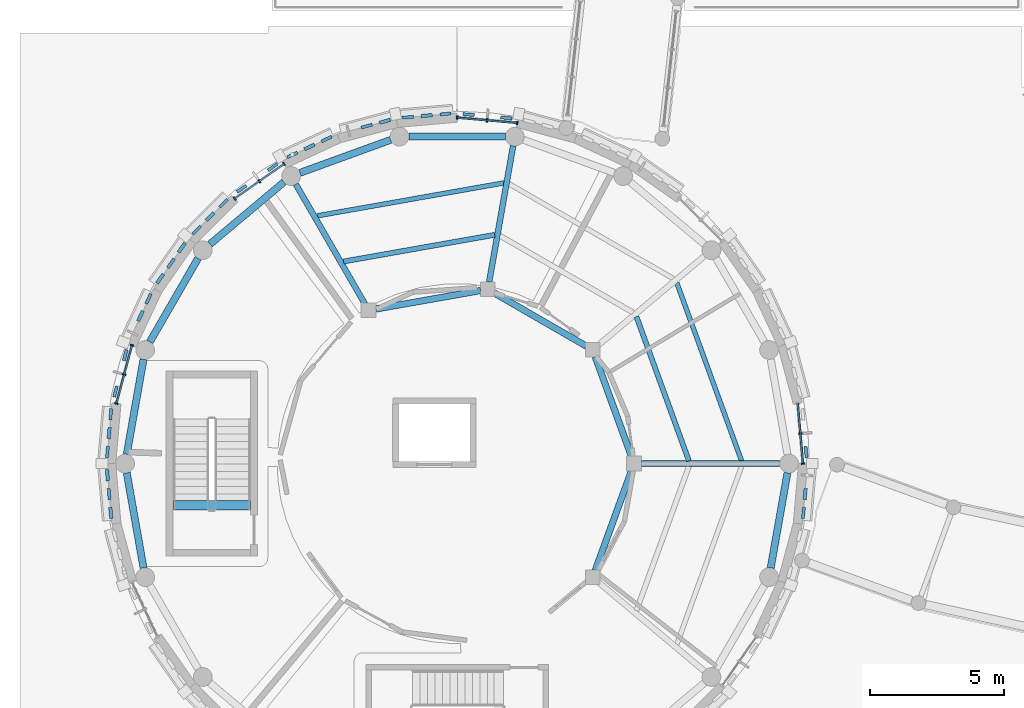
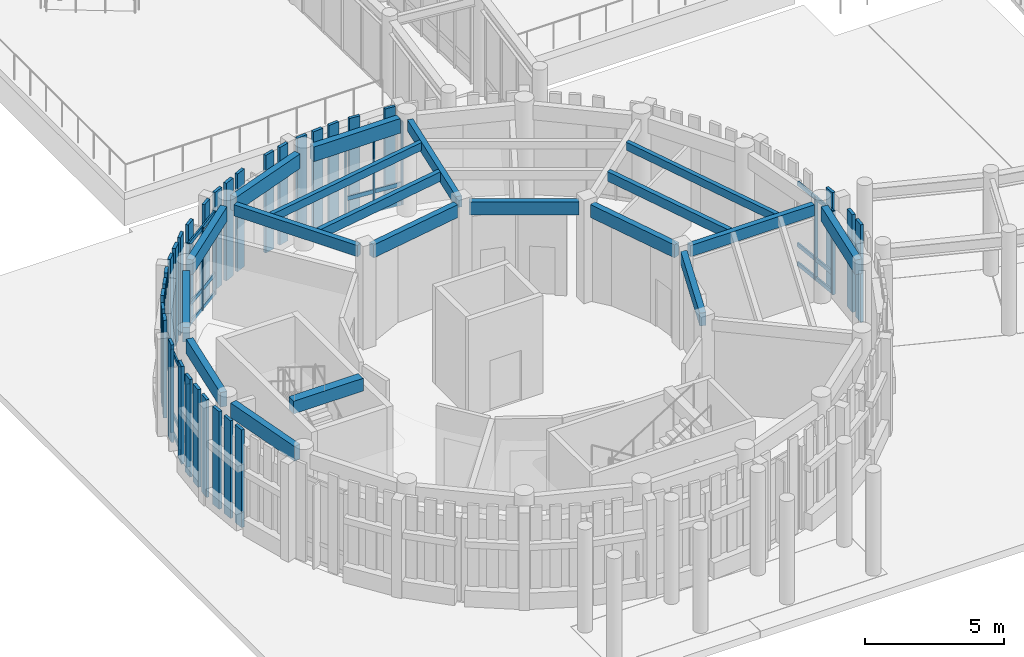
# One storey, part 7 of 94: 54 members, 19 beams, 4 elements without a shape of their own.
"""IFC4 building model written with IfcOpenShell, lengths in metres."""

from ifc_helpers import new_model, si_unit, direction, frame, origin, origin_2d, place, context, subcontext, project, spatial, rectangle, extrude, material, layer, layer_set, material_profile, profile_set, type_object, element, aggregate, save


model = new_model("IFC4")

# Units and contexts
model_context = context("Model", 3, precision=1e-05, world=origin(), true_north=direction((0.0, 1.0)))
body_context = subcontext(model_context, "Body", "Model", "MODEL_VIEW")
ifc_project = project(units=[si_unit("LENGTHUNIT", "METRE"), si_unit("AREAUNIT", "SQUARE_METRE"), si_unit("VOLUMEUNIT", "CUBIC_METRE"), si_unit("PLANEANGLEUNIT", "RADIAN"), si_unit("MASSUNIT", "GRAM", prefix="KILO")], contexts=[model_context])

# Site, building, storey
site_placement = place(None, origin())
site = spatial("IfcSite", under=ifc_project, at=site_placement, CompositionType="ELEMENT")
building_placement = place(site_placement, origin())
building = spatial("IfcBuilding", under=site, at=building_placement, Name="Aldenvaro Health Centre", CompositionType="ELEMENT")
storey_placement = place(building_placement, origin())
storey = spatial("IfcBuildingStorey", under=building, at=storey_placement, Name="L00", CompositionType="ELEMENT", Elevation=0.0)

# Beams
ifc_material_1 = material(Name="Glulam GL28h", Category="wood")
ifc_material_profile_1 = material_profile(ifc_material_1, rectangle(XDim=0.175048828125, YDim=0.35009765625, at=origin_2d()), Name="GL 175x350", Category="wood")
ifc_profile_set_1 = profile_set([ifc_material_profile_1], Name="Glulam GL28h")
beam_type_1 = type_object("IfcBeamType", Name="BM-GL-350", PredefinedType="JOIST", material=ifc_profile_set_1)
beam_1_placement = place(storey_placement, frame((29.10888671875, 18.60107421875, 4.1298828125), z_axis=(-0.342009334008, 0.939696554985, 0.0), x_axis=(-0.939696554985, -0.342009334008, 0.0)))
element("IfcBeam", 1, at=beam_1_placement, inside=storey, type_object=beam_type_1, Name="D5 L00 secondary joist 01.2", PredefinedType="JOIST", context=body_context, shape_type="SweptSolid", body=[
    extrude(rectangle(XDim=0.175048828125, YDim=0.35009765625, at=origin_2d()), origin(), (0.0, 0.0, 1.0), 7.067138671875),
])
beam_2_placement = place(storey_placement, frame((20.242919921875, 28.966064453125, 4.1298828125), z_axis=(-0.984788427089, -0.173757744782, 0.0), x_axis=(0.173757744782, -0.984788427089, 0.0)))
element("IfcBeam", 2, at=beam_2_placement, inside=storey, type_object=beam_type_1, Name="D5 L00 secondary joist 03.2", PredefinedType="JOIST", context=body_context, shape_type="SweptSolid", body=[
    extrude(rectangle(XDim=0.175048828125, YDim=0.35009765625, at=origin_2d()), origin(), (0.0, 0.0, 1.0), 7.0673828125),
])
ifc_material_profile_2 = material_profile(ifc_material_1, rectangle(XDim=0.18994140625, YDim=0.41796875, at=origin_2d()), Name="GL 190x418", Category="wood")
ifc_profile_set_2 = profile_set([ifc_material_profile_2], Name="Glulam GL28h")
beam_type_2 = type_object("IfcBeamType", Name="BM-GL-418", PredefinedType="JOIST", material=ifc_profile_set_2)
beam_3_placement = place(storey_placement, frame((27.14404296875, 18.60107421875, 4.095947265625), z_axis=(-0.341962269954, 0.939713682952, 0.0), x_axis=(-0.939713682952, -0.341962269954, 0.0)))
element("IfcBeam", 3, at=beam_3_placement, inside=storey, type_object=beam_type_2, Name="D5 L00 secondary joist 01.1", PredefinedType="JOIST", context=body_context, shape_type="SweptSolid", body=[
    extrude(rectangle(XDim=0.18994140625, YDim=0.41796875, at=origin_2d()), origin(), (0.0, 0.0, 1.0), 5.722900390625),
])
beam_4_placement = place(storey_placement, frame((19.902099609375, 27.030029296875, 4.095947265625), z_axis=(-0.984803303426, -0.173673410634, 0.0), x_axis=(0.173673410634, -0.984803303426, 0.0)))
element("IfcBeam", 4, at=beam_4_placement, inside=storey, type_object=beam_type_2, Name="D5 L00 secondary joist 03.1", PredefinedType="JOIST", context=body_context, shape_type="SweptSolid", body=[
    extrude(rectangle(XDim=0.18994140625, YDim=0.41796875, at=origin_2d()), origin(), (0.0, 0.0, 1.0), 5.72412109375),
])
ifc_material_profile_3 = material_profile(ifc_material_1, rectangle(XDim=0.215087890625, YDim=0.493896484375, at=origin_2d()), Name="GL 215x494", Category="wood")
ifc_profile_set_3 = profile_set([ifc_material_profile_3], Name="Glulam GL28h")
beam_type_3 = type_object("IfcBeamType", Name="BM-GL-494", PredefinedType="BEAM", material=ifc_profile_set_3)
beam_5_placement = place(storey_placement, frame((25.375, 18.5, 4.05810546875), z_axis=(1.0, 0.0, 0.0), x_axis=(0.0, 1.0, 0.0)))
element("IfcBeam", 5, at=beam_5_placement, inside=storey, type_object=beam_type_3, Name="D5 L00 radial beam 01", PredefinedType="BEAM", context=body_context, shape_type="SweptSolid", body=[
    extrude(rectangle(XDim=0.215087890625, YDim=0.493896484375, at=origin_2d()), origin(), (0.0, 0.0, 1.0), 5.155029296875),
])
for number, where, z_axis, x_axis, name in (
    (6, (19.694091796875, 25.27099609375, 4.05810546875), (0.173647522768, 0.984807868488, 0.0), (-0.984807868488, 0.173647522768, 0.0), "D5 L00 radial beam 03"),
    (7, (15.06201171875, 24.4541015625, 4.05810546875), (-0.499954800118, 0.866051498376, 0.0), (-0.866051498376, -0.499954800118, 0.0), "D5 L00 radial beam 04"),
):
    element("IfcBeam", number, at=place(storey_placement, frame(where, z_axis=z_axis, x_axis=x_axis)), inside=storey, type_object=beam_type_3, Name=name, PredefinedType="BEAM", context=body_context, shape_type="SweptSolid", body=[
        extrude(rectangle(XDim=0.215087890625, YDim=0.493896484375, at=origin_2d()), origin(), (0.0, 0.0, 1.0), 5.154296875),
    ])
ifc_material_profile_4 = material_profile(ifc_material_1, rectangle(XDim=0.239990234375, YDim=0.570068359375, at=origin_2d()), Name="GL 240x570", Category="wood")
ifc_profile_set_4 = profile_set([ifc_material_profile_4], Name="Glulam GL28h")
beam_type_4 = type_object("IfcBeamType", Name="BM-GL-570", PredefinedType="BEAM", material=ifc_profile_set_4)
for number, where, z_axis, x_axis, name in (
    (8, (25.006103515625, 18.758056640625, 4.02001953125), (-0.342044624187, 0.93968371012, 0.0), (-0.93968371012, -0.342044624187, 0.0), "D5 L00 inner ring beam 01"),
    (9, (23.318115234375, 22.8798828125, 4.02001953125), (-0.866078959103, 0.499907227993, 0.0), (-0.499907227993, -0.866078959103, 0.0), "D5 L00 inner ring beam 02"),
):
    element("IfcBeam", number, at=place(storey_placement, frame(where, z_axis=z_axis, x_axis=x_axis)), inside=storey, type_object=beam_type_4, Name=name, PredefinedType="BEAM", context=body_context, shape_type="SweptSolid", body=[
        extrude(rectangle(XDim=0.239990234375, YDim=0.570068359375, at=origin_2d()), origin(), (0.0, 0.0, 1.0), 3.965087890625),
    ])
beam_6_placement = place(storey_placement, frame((19.375, 24.951904296875, 4.02001953125), z_axis=(-0.984825070377, -0.17354993736, 0.0), x_axis=(0.17354993736, -0.984825070377, 0.0)))
element("IfcBeam", 10, at=beam_6_placement, inside=storey, type_object=beam_type_4, Name="D5 L00 inner ring beam 03", PredefinedType="BEAM", context=body_context, shape_type="SweptSolid", body=[
    extrude(rectangle(XDim=0.239990234375, YDim=0.570068359375, at=origin_2d()), origin(), (0.0, 0.0, 1.0), 3.964111328125),
])
beam_7_placement = place(storey_placement, frame((23.64990234375, 14.51611328125, 4.02001953125), z_axis=(0.342044624187, 0.93968371012, 0.0), x_axis=(-0.93968371012, 0.342044624187, 0.0)))
element("IfcBeam", 11, at=beam_7_placement, inside=storey, type_object=beam_type_4, Name="D5 L00 inner ring beam 05", PredefinedType="BEAM", context=body_context, shape_type="SweptSolid", body=[
    extrude(rectangle(XDim=0.239990234375, YDim=0.570068359375, at=origin_2d()), origin(), (0.0, 0.0, 1.0), 3.965087890625),
])
ifc_material_profile_5 = material_profile(ifc_material_1, rectangle(XDim=0.264892578125, YDim=0.64599609375, at=origin_2d()), Name="GL 265x646", Category="wood")
ifc_profile_set_5 = profile_set([ifc_material_profile_5], Name="Glulam GL28h")
beam_type_5 = type_object("IfcBeamType", Name="BM-GL-646", PredefinedType="SPANDREL", material=ifc_profile_set_5)
beam_8_placement = place(storey_placement, frame((20.300048828125, 30.69189453125, 3.98193359375), z_axis=(-1.0, 0.0, 0.0), x_axis=(0.0, -1.0, 0.0)))
element("IfcBeam", 12, at=beam_8_placement, inside=storey, type_object=beam_type_5, Name="D5 L00 perimeter spandrel 05", PredefinedType="SPANDREL", context=body_context, shape_type="SweptSolid", body=[
    extrude(rectangle(XDim=0.264892578125, YDim=0.64599609375, at=origin_2d()), origin(), (0.0, 0.0, 1.0), 3.60009765625),
])
beam_9_placement = place(storey_placement, frame((16.02099609375, 30.572021484375, 3.98193359375), z_axis=(-0.939694357354, -0.342015372106, 0.0), x_axis=(0.342015372106, -0.939694357354, 0.0)))
element("IfcBeam", 13, at=beam_9_placement, inside=storey, type_object=beam_type_5, Name="D5 L00 perimeter spandrel 06", PredefinedType="SPANDREL", context=body_context, shape_type="SweptSolid", body=[
    extrude(rectangle(XDim=0.264892578125, YDim=0.64599609375, at=origin_2d()), origin(), (0.0, 0.0, 1.0), 3.59912109375),
])
beam_10_placement = place(storey_placement, frame((12.0419921875, 28.99609375, 3.98193359375), z_axis=(-0.766221705246, -0.642576297734, 0.0), x_axis=(0.642576297734, -0.766221705246, 0.0)))
element("IfcBeam", 14, at=beam_10_placement, inside=storey, type_object=beam_type_5, Name="D5 L00 perimeter spandrel 07", PredefinedType="SPANDREL", context=body_context, shape_type="SweptSolid", body=[
    extrude(rectangle(XDim=0.264892578125, YDim=0.64599609375, at=origin_2d()), origin(), (0.0, 0.0, 1.0), 3.599609375),
])
beam_11_placement = place(storey_placement, frame((8.841064453125, 26.155029296875, 3.98193359375), z_axis=(-0.499779208992, -0.866152840011, 0.0), x_axis=(0.866152840011, -0.499779208992, 0.0)))
element("IfcBeam", 15, at=beam_11_placement, inside=storey, type_object=beam_type_5, Name="D5 L00 perimeter spandrel 08", PredefinedType="SPANDREL", context=body_context, shape_type="SweptSolid", body=[
    extrude(rectangle(XDim=0.264892578125, YDim=0.64599609375, at=origin_2d()), origin(), (0.0, 0.0, 1.0), 3.599853515625),
])
for number, where, z_axis, x_axis, name in (
    (16, (6.805908203125, 22.388916015625, 3.98193359375), (-0.17367696688, -0.984802676263, 0.0), (0.984802676263, -0.17367696688, 0.0), "D5 L00 perimeter spandrel 09"),
    (17, (6.180908203125, 18.155029296875, 3.98193359375), (0.17367696688, -0.984802676263, 0.0), (0.984802676263, 0.17367696688, 0.0), "D5 L00 perimeter spandrel 10"),
    (18, (30.194091796875, 14.611083984375, 3.98193359375), (0.17367696688, 0.984802676263, 0.0), (-0.984802676263, 0.17367696688, 0.0), "D5 L00 perimeter spandrel 18"),
):
    element("IfcBeam", number, at=place(storey_placement, frame(where, z_axis=z_axis, x_axis=x_axis)), inside=storey, type_object=beam_type_5, Name=name, PredefinedType="SPANDREL", context=body_context, shape_type="SweptSolid", body=[
        extrude(rectangle(XDim=0.264892578125, YDim=0.64599609375, at=origin_2d()), origin(), (0.0, 0.0, 1.0), 3.5986328125),
    ])
ifc_material_2 = material(Name="Concrete f'c 40 MPa", Category="concrete")
ifc_material_profile_6 = material_profile(ifc_material_2, rectangle(XDim=0.35009765625, YDim=0.56005859375, at=origin_2d()), Name="RC 350x560", Category="concrete")
ifc_profile_set_6 = profile_set([ifc_material_profile_6], Name="Concrete f'c 40 MPa")
beam_type_6 = type_object("IfcBeamType", Name="BM-RC-560", PredefinedType="JOIST", material=ifc_profile_set_6)
beam_12_placement = place(storey_placement, frame((10.800048828125, 16.949951171875, 4.27001953125), z_axis=(-1.0, 0.0, 0.0), x_axis=(0.0, -1.0, 0.0)))
element("IfcBeam", 19, at=beam_12_placement, inside=storey, type_object=beam_type_6, Name="ST-09 L01 stair landing trimmer beam", PredefinedType="JOIST", context=body_context, shape_type="SweptSolid", body=[
    extrude(rectangle(XDim=0.35009765625, YDim=0.56005859375, at=origin_2d()), origin(), (0.0, 0.0, 1.0), 2.900146484375),
])

# Curtain wall, members
ifc_material_3 = material(Name="Anodised Aluminium 6063-T6", Category="aluminium")
ifc_layer = layer(ifc_material_3, 0.195068359375, Name="Anodised Aluminium 6063-T6", Category="aluminium")
ifc_layer_set = layer_set([ifc_layer], Name="Anodised Aluminium 6063-T6")
curtain_wall_type = type_object("IfcCurtainWallType", Name="CW-CLN-02", PredefinedType="NOTDEFINED", material=ifc_layer_set)
curtain_wall_1_placement = place(storey_placement, origin())
curtain_wall_1 = element("IfcCurtainWall", 20, at=curtain_wall_1_placement, inside=storey, type_object=curtain_wall_type, Name="D5 L00 curtain wall bay 20", PredefinedType="NOTDEFINED")
ifc_material_profile_7 = material_profile(ifc_material_3, rectangle(XDim=0.06005859375, YDim=0.135009765625, at=origin_2d()), Name="ALU 60x135", Category="aluminium")
ifc_profile_set_7 = profile_set([ifc_material_profile_7], Name="Anodised Aluminium 6063-T6")
member_type_1 = type_object("IfcMemberType", Name="CWM-150", PredefinedType="MULLION", material=ifc_profile_set_7)
member_1_placement = place(storey_placement, frame((5.7958984375, 20.739990234375, 0.0), z_axis=(0.0, 0.0, 1.0), x_axis=(0.258825000966, 0.9659242304, 0.0)))
member_1 = element("IfcMember", 21, at=member_1_placement, type_object=member_type_1, Name="D5 L00 curtain wall bay 20 mullion 1", PredefinedType="MULLION", context=body_context, shape_type="SweptSolid", body=[
    extrude(rectangle(XDim=0.06005859375, YDim=0.135009765625, at=origin_2d()), origin(), (0.0, 0.0, 1.0), 3.658935546875),
])
member_2_placement = place(storey_placement, frame((6.0869140625, 21.825927734375, 0.0), z_axis=(0.0, 0.0, 1.0), x_axis=(0.258825000966, 0.9659242304, 0.0)))
member_2 = element("IfcMember", 22, at=member_2_placement, type_object=member_type_1, Name="D5 L00 curtain wall bay 20 mullion 2", PredefinedType="MULLION", context=body_context, shape_type="SweptSolid", body=[
    extrude(rectangle(XDim=0.06005859375, YDim=0.135009765625, at=origin_2d()), origin(), (0.0, 0.0, 1.0), 3.658935546875),
])
member_3_placement = place(storey_placement, frame((6.3779296875, 22.912109375, 0.0), z_axis=(0.0, 0.0, 1.0), x_axis=(0.258825000966, 0.9659242304, 0.0)))
member_3 = element("IfcMember", 23, at=member_3_placement, type_object=member_type_1, Name="D5 L00 curtain wall bay 20 mullion 3", PredefinedType="MULLION", context=body_context, shape_type="SweptSolid", body=[
    extrude(rectangle(XDim=0.06005859375, YDim=0.135009765625, at=origin_2d()), origin(), (0.0, 0.0, 1.0), 3.658935546875),
])

curtain_wall_2_placement = place(storey_placement, origin())
curtain_wall_2 = element("IfcCurtainWall", 24, at=curtain_wall_2_placement, inside=storey, type_object=curtain_wall_type, Name="D5 L00 curtain wall bay 24", PredefinedType="NOTDEFINED")
member_4_placement = place(storey_placement, frame((10.2080078125, 28.382080078125, 0.0), z_axis=(0.0, 0.0, 1.0), x_axis=(0.819106553991, 0.573641397746, 0.0)))
member_4 = element("IfcMember", 25, at=member_4_placement, type_object=member_type_1, Name="D5 L00 curtain wall bay 24 mullion 1", PredefinedType="MULLION", context=body_context, shape_type="SweptSolid", body=[
    extrude(rectangle(XDim=0.06005859375, YDim=0.135009765625, at=origin_2d()), origin(), (0.0, 0.0, 1.0), 3.658935546875),
])
member_5_placement = place(storey_placement, frame((11.12890625, 29.027099609375, 0.0), z_axis=(0.0, 0.0, 1.0), x_axis=(0.819106553991, 0.573641397746, 0.0)))
member_5 = element("IfcMember", 26, at=member_5_placement, type_object=member_type_1, Name="D5 L00 curtain wall bay 24 mullion 2", PredefinedType="MULLION", context=body_context, shape_type="SweptSolid", body=[
    extrude(rectangle(XDim=0.06005859375, YDim=0.135009765625, at=origin_2d()), origin(), (0.0, 0.0, 1.0), 3.658935546875),
])
member_6_placement = place(storey_placement, frame((12.050048828125, 29.672119140625, 0.0), z_axis=(0.0, 0.0, 1.0), x_axis=(0.819106553991, 0.573641397746, 0.0)))
member_6 = element("IfcMember", 27, at=member_6_placement, type_object=member_type_1, Name="D5 L00 curtain wall bay 24 mullion 3", PredefinedType="MULLION", context=body_context, shape_type="SweptSolid", body=[
    extrude(rectangle(XDim=0.06005859375, YDim=0.135009765625, at=origin_2d()), origin(), (0.0, 0.0, 1.0), 3.658935546875),
])

curtain_wall_3_placement = place(storey_placement, origin())
curtain_wall_3 = element("IfcCurtainWall", 28, at=curtain_wall_3_placement, inside=storey, type_object=curtain_wall_type, Name="D5 L00 curtain wall bay 28", PredefinedType="NOTDEFINED")
member_7_placement = place(storey_placement, frame((18.5, 31.39990234375, 0.0), z_axis=(0.0, 0.0, 1.0), x_axis=(0.996193717495, -0.087166950289, 0.0)))
member_7 = element("IfcMember", 29, at=member_7_placement, type_object=member_type_1, Name="D5 L00 curtain wall bay 28 mullion 1", PredefinedType="MULLION", context=body_context, shape_type="SweptSolid", body=[
    extrude(rectangle(XDim=0.06005859375, YDim=0.135009765625, at=origin_2d()), origin(), (0.0, 0.0, 1.0), 3.658935546875),
])
member_8_placement = place(storey_placement, frame((19.6201171875, 31.302001953125, 0.0), z_axis=(0.0, 0.0, 1.0), x_axis=(0.996193717495, -0.087166950289, 0.0)))
member_8 = element("IfcMember", 30, at=member_8_placement, type_object=member_type_1, Name="D5 L00 curtain wall bay 28 mullion 2", PredefinedType="MULLION", context=body_context, shape_type="SweptSolid", body=[
    extrude(rectangle(XDim=0.06005859375, YDim=0.135009765625, at=origin_2d()), origin(), (0.0, 0.0, 1.0), 3.658935546875),
])
member_9_placement = place(storey_placement, frame((20.739990234375, 31.2041015625, 0.0), z_axis=(0.0, 0.0, 1.0), x_axis=(0.996193717495, -0.087166950289, 0.0)))
member_9 = element("IfcMember", 31, at=member_9_placement, type_object=member_type_1, Name="D5 L00 curtain wall bay 28 mullion 3", PredefinedType="MULLION", context=body_context, shape_type="SweptSolid", body=[
    extrude(rectangle(XDim=0.06005859375, YDim=0.135009765625, at=origin_2d()), origin(), (0.0, 0.0, 1.0), 3.658935546875),
])

curtain_wall_4_placement = place(storey_placement, origin())
curtain_wall_4 = element("IfcCurtainWall", 32, at=curtain_wall_4_placement, inside=storey, type_object=curtain_wall_type, Name="D5 L00 curtain wall bay 36", PredefinedType="NOTDEFINED")
member_10_placement = place(storey_placement, frame((31.302001953125, 19.6201171875, 0.0), z_axis=(0.0, 0.0, 1.0), x_axis=(0.087166950289, -0.996193717495, 0.0)))
member_10 = element("IfcMember", 33, at=member_10_placement, type_object=member_type_1, Name="D5 L00 curtain wall bay 36 mullion 2", PredefinedType="MULLION", context=body_context, shape_type="SweptSolid", body=[
    extrude(rectangle(XDim=0.06005859375, YDim=0.135009765625, at=origin_2d()), origin(), (0.0, 0.0, 1.0), 3.658935546875),
])
member_11_placement = place(storey_placement, frame((31.39990234375, 18.5, 0.0), z_axis=(0.0, 0.0, 1.0), x_axis=(0.087166950289, -0.996193717495, 0.0)))
member_11 = element("IfcMember", 34, at=member_11_placement, type_object=member_type_1, Name="D5 L00 curtain wall bay 36 mullion 3", PredefinedType="MULLION", context=body_context, shape_type="SweptSolid", body=[
    extrude(rectangle(XDim=0.06005859375, YDim=0.135009765625, at=origin_2d()), origin(), (0.0, 0.0, 1.0), 3.658935546875),
])

# Member
ifc_material_profile_8 = material_profile(ifc_material_3, rectangle(XDim=0.06494140625, YDim=0.179931640625, at=origin_2d()), Name="ALU 65x180", Category="aluminium")
ifc_profile_set_8 = profile_set([ifc_material_profile_8], Name="Anodised Aluminium 6063-T6")
member_type_2 = type_object("IfcMemberType", Name="CWT-150", PredefinedType="USERDEFINED", material=ifc_profile_set_8)
member_12_placement = place(storey_placement, frame((5.7958984375, 20.739990234375, 0.06005859375), z_axis=(0.258824721145, 0.96592430538, 0.0), x_axis=(-0.96592430538, 0.258824721145, 0.0)))
member_12 = element("IfcMember", 35, at=member_12_placement, type_object=member_type_2, Name="D5 L00 curtain wall bay 20 transom 1", ObjectType="TRANSOM", PredefinedType="USERDEFINED", context=body_context, shape_type="SweptSolid", body=[
    extrude(rectangle(XDim=0.06494140625, YDim=0.179931640625, at=origin_2d()), origin(), (0.0, 0.0, 1.0), 2.248779296875),
])

member_13_placement = place(storey_placement, frame((5.7958984375, 20.739990234375, 0.89990234375), z_axis=(0.258824721145, 0.96592430538, 0.0), x_axis=(-0.96592430538, 0.258824721145, 0.0)))
member_13 = element("IfcMember", 36, at=member_13_placement, type_object=member_type_2, Name="D5 L00 curtain wall bay 20 transom 2", ObjectType="TRANSOM", PredefinedType="USERDEFINED", context=body_context, shape_type="SweptSolid", body=[
    extrude(rectangle(XDim=0.06494140625, YDim=0.179931640625, at=origin_2d()), origin(), (0.0, 0.0, 1.0), 2.248779296875),
])

member_14_placement = place(storey_placement, frame((5.7958984375, 20.739990234375, 3.59912109375), z_axis=(0.258824721145, 0.96592430538, 0.0), x_axis=(-0.96592430538, 0.258824721145, 0.0)))
member_14 = element("IfcMember", 37, at=member_14_placement, type_object=member_type_2, Name="D5 L00 curtain wall bay 20 transom 3", ObjectType="TRANSOM", PredefinedType="USERDEFINED", context=body_context, shape_type="SweptSolid", body=[
    extrude(rectangle(XDim=0.06494140625, YDim=0.179931640625, at=origin_2d()), origin(), (0.0, 0.0, 1.0), 2.248779296875),
])

aggregate(curtain_wall_1, [member_1, member_2, member_3, member_12, member_13, member_14])

member_15_placement = place(storey_placement, frame((10.2080078125, 28.382080078125, 0.06005859375), z_axis=(0.819104393925, 0.573644482107, 0.0), x_axis=(-0.573644482107, 0.819104393925, 0.0)))
member_15 = element("IfcMember", 38, at=member_15_placement, type_object=member_type_2, Name="D5 L00 curtain wall bay 24 transom 1", ObjectType="TRANSOM", PredefinedType="USERDEFINED", context=body_context, shape_type="SweptSolid", body=[
    extrude(rectangle(XDim=0.06494140625, YDim=0.179931640625, at=origin_2d()), origin(), (0.0, 0.0, 1.0), 2.248779296875),
])

member_16_placement = place(storey_placement, frame((10.2080078125, 28.382080078125, 0.89990234375), z_axis=(0.819104393925, 0.573644482107, 0.0), x_axis=(-0.573644482107, 0.819104393925, 0.0)))
member_16 = element("IfcMember", 39, at=member_16_placement, type_object=member_type_2, Name="D5 L00 curtain wall bay 24 transom 2", ObjectType="TRANSOM", PredefinedType="USERDEFINED", context=body_context, shape_type="SweptSolid", body=[
    extrude(rectangle(XDim=0.06494140625, YDim=0.179931640625, at=origin_2d()), origin(), (0.0, 0.0, 1.0), 2.248779296875),
])

member_17_placement = place(storey_placement, frame((10.2080078125, 28.382080078125, 3.59912109375), z_axis=(0.819104393925, 0.573644482107, 0.0), x_axis=(-0.573644482107, 0.819104393925, 0.0)))
member_17 = element("IfcMember", 40, at=member_17_placement, type_object=member_type_2, Name="D5 L00 curtain wall bay 24 transom 3", ObjectType="TRANSOM", PredefinedType="USERDEFINED", context=body_context, shape_type="SweptSolid", body=[
    extrude(rectangle(XDim=0.06494140625, YDim=0.179931640625, at=origin_2d()), origin(), (0.0, 0.0, 1.0), 2.248779296875),
])

aggregate(curtain_wall_2, [member_4, member_5, member_6, member_15, member_16, member_17])

member_18_placement = place(storey_placement, frame((18.5, 31.39990234375, 0.06005859375), z_axis=(0.996201374201, -0.087079400775, 0.0), x_axis=(0.087079400775, 0.996201374201, 0.0)))
member_18 = element("IfcMember", 41, at=member_18_placement, type_object=member_type_2, Name="D5 L00 curtain wall bay 28 transom 1", ObjectType="TRANSOM", PredefinedType="USERDEFINED", context=body_context, shape_type="SweptSolid", body=[
    extrude(rectangle(XDim=0.06494140625, YDim=0.179931640625, at=origin_2d()), origin(), (0.0, 0.0, 1.0), 2.24853515625),
])

member_19_placement = place(storey_placement, frame((18.5, 31.39990234375, 0.89990234375), z_axis=(0.996201374201, -0.087079400775, 0.0), x_axis=(0.087079400775, 0.996201374201, 0.0)))
member_19 = element("IfcMember", 42, at=member_19_placement, type_object=member_type_2, Name="D5 L00 curtain wall bay 28 transom 2", ObjectType="TRANSOM", PredefinedType="USERDEFINED", context=body_context, shape_type="SweptSolid", body=[
    extrude(rectangle(XDim=0.06494140625, YDim=0.179931640625, at=origin_2d()), origin(), (0.0, 0.0, 1.0), 2.24853515625),
])

member_20_placement = place(storey_placement, frame((18.5, 31.39990234375, 3.59912109375), z_axis=(0.996201374201, -0.087079400775, 0.0), x_axis=(0.087079400775, 0.996201374201, 0.0)))
member_20 = element("IfcMember", 43, at=member_20_placement, type_object=member_type_2, Name="D5 L00 curtain wall bay 28 transom 3", ObjectType="TRANSOM", PredefinedType="USERDEFINED", context=body_context, shape_type="SweptSolid", body=[
    extrude(rectangle(XDim=0.06494140625, YDim=0.179931640625, at=origin_2d()), origin(), (0.0, 0.0, 1.0), 2.24853515625),
])

aggregate(curtain_wall_3, [member_7, member_8, member_9, member_18, member_19, member_20])

member_21_placement = place(storey_placement, frame((31.2041015625, 20.739990234375, 0.06005859375), z_axis=(0.087079400775, -0.996201374201, 0.0), x_axis=(0.996201374201, 0.087079400775, 0.0)))
member_21 = element("IfcMember", 44, at=member_21_placement, type_object=member_type_2, Name="D5 L00 curtain wall bay 36 transom 1", ObjectType="TRANSOM", PredefinedType="USERDEFINED", context=body_context, shape_type="SweptSolid", body=[
    extrude(rectangle(XDim=0.06494140625, YDim=0.179931640625, at=origin_2d()), origin(), (0.0, 0.0, 1.0), 2.24853515625),
])

member_22_placement = place(storey_placement, frame((31.2041015625, 20.739990234375, 0.89990234375), z_axis=(0.087079400775, -0.996201374201, 0.0), x_axis=(0.996201374201, 0.087079400775, 0.0)))
member_22 = element("IfcMember", 45, at=member_22_placement, type_object=member_type_2, Name="D5 L00 curtain wall bay 36 transom 2", ObjectType="TRANSOM", PredefinedType="USERDEFINED", context=body_context, shape_type="SweptSolid", body=[
    extrude(rectangle(XDim=0.06494140625, YDim=0.179931640625, at=origin_2d()), origin(), (0.0, 0.0, 1.0), 2.24853515625),
])

member_23_placement = place(storey_placement, frame((31.2041015625, 20.739990234375, 3.59912109375), z_axis=(0.087079400775, -0.996201374201, 0.0), x_axis=(0.996201374201, 0.087079400775, 0.0)))
member_23 = element("IfcMember", 46, at=member_23_placement, type_object=member_type_2, Name="D5 L00 curtain wall bay 36 transom 3", ObjectType="TRANSOM", PredefinedType="USERDEFINED", context=body_context, shape_type="SweptSolid", body=[
    extrude(rectangle(XDim=0.06494140625, YDim=0.179931640625, at=origin_2d()), origin(), (0.0, 0.0, 1.0), 2.24853515625),
])

aggregate(curtain_wall_4, [member_10, member_11, member_21, member_22, member_23])

# Members
ifc_material_profile_9 = material_profile(ifc_material_1, rectangle(XDim=0.114990234375, YDim=0.419921875, at=origin_2d()), Name="GL 115x420", Category="wood")
ifc_profile_set_9 = profile_set([ifc_material_profile_9], Name="Glulam GL28h")
member_type_3 = type_object("IfcMemberType", Name="MEM-SLT-420A", PredefinedType="POST", material=ifc_profile_set_9)
for number, where, z_axis, x_axis, name in (
    (47, (31.4150390625, 16.6630859375, 0.0), (0.0, 0.0, 1.0), (0.996193717495, -0.087166950289, 0.0), "D5 L00 vertical timber slat 1.3"),
    (48, (5.52392578125, 17.364990234375, 0.0), (0.0, 0.0, 1.0), (-0.996193717495, -0.087166950289, 0.0), "D5 L00 vertical timber slat 18.2"),
    (49, (5.4619140625, 18.93408203125, 0.0), (0.0, 0.0, 1.0), (-0.996193717495, 0.087166950289, 0.0), "D5 L00 vertical timber slat 19.1"),
    (50, (5.5849609375, 20.3369140625, 0.0), (0.0, 0.0, 1.0), (-0.996193717495, 0.087166950289, 0.0), "D5 L00 vertical timber slat 19.3"),
    (51, (5.760009765625, 21.18505859375, 0.0), (0.0, 0.0, 1.0), (-0.9659242304, 0.258825000966, 0.0), "D5 L00 curtain mullion timber slat 20"),
    (52, (6.1240234375, 22.544921875, 0.0), (0.0, 0.0, 1.0), (-0.9659242304, 0.258825000966, 0.0), "D5 L00 curtain mullion timber slat 20"),
    (53, (6.991943359375, 24.64306640625, 0.0), (0.0, 0.0, 1.0), (-0.906364844733, 0.422495879545, 0.0), "D5 L00 vertical timber slat 21.3"),
    (54, (7.830078125, 25.970947265625, 0.0), (0.0, 0.0, 1.0), (-0.819106553991, 0.573641397746, 0.0), "D5 L00 vertical timber slat 22.2"),
    (55, (8.791015625, 27.212890625, 0.0), (0.0, 0.0, 1.0), (-0.707106781187, 0.707106781187, 0.0), "D5 L00 vertical timber slat 23.1"),
    (56, (9.787109375, 28.208984375, 0.0), (0.0, 0.0, 1.0), (-0.707106781187, 0.707106781187, 0.0), "D5 L00 vertical timber slat 23.3"),
    (57, (10.466064453125, 28.74609375, 0.0), (0.0, 0.0, 1.0), (-0.573641397746, 0.819106553991, 0.0), "D5 L00 curtain mullion timber slat 24"),
    (58, (11.6201171875, 29.553955078125, 0.0), (0.0, 0.0, 1.0), (-0.573641397746, 0.819106553991, 0.0), "D5 L00 curtain mullion timber slat 24"),
    (59, (12.35693359375, 30.008056640625, 0.0), (0.0, 0.0, 1.0), (-0.422495879545, 0.906364844733, 0.0), "D5 L00 vertical timber slat 25.1"),
    (60, (13.633056640625, 30.60302734375, 0.0), (0.0, 0.0, 1.0), (-0.422495879545, 0.906364844733, 0.0), "D5 L00 vertical timber slat 25.3"),
    (61, (15.12890625, 31.08203125, 0.0), (0.0, 0.0, 1.0), (-0.258825000966, 0.9659242304, 0.0), "D5 L00 vertical timber slat 26.2"),
    (62, (16.6630859375, 31.4150390625, 0.0), (0.0, 0.0, 1.0), (-0.087166950289, 0.996193717495, 0.0), "D5 L00 vertical timber slat 27.1"),
    (63, (18.06591796875, 31.5380859375, 0.0), (0.0, 0.0, 1.0), (-0.087166950289, 0.996193717495, 0.0), "D5 L00 vertical timber slat 27.3"),
    (64, (18.930908203125, 31.512939453125, 0.0), (0.0, 0.0, 1.0), (0.087166950289, 0.996193717495, 0.0), "D5 L00 curtain mullion timber slat 28"),
    (65, (20.3349609375, 31.389892578125, 0.0), (0.0, 0.0, 1.0), (0.087166950289, 0.996193717495, 0.0), "D5 L00 curtain mullion timber slat 28"),
    (66, (31.512939453125, 18.930908203125, 0.0), (0.0, 0.0, 1.0), (0.996193717495, 0.087166950289, 0.0), "D5 L00 curtain mullion timber slat 36"),
):
    element("IfcMember", number, at=place(storey_placement, frame(where, z_axis=z_axis, x_axis=x_axis)), inside=storey, type_object=member_type_3, Name=name, PredefinedType="POST", context=body_context, shape_type="SweptSolid", body=[
        extrude(rectangle(XDim=0.114990234375, YDim=0.419921875, at=origin_2d()), origin(), (0.0, 0.0, 1.0), 4.304931640625),
    ])
ifc_material_profile_10 = material_profile(ifc_material_1, rectangle(XDim=0.1298828125, YDim=0.419921875, at=origin_2d()), Name="GL 130x420", Category="wood")
ifc_profile_set_10 = profile_set([ifc_material_profile_10], Name="Glulam GL28h")
member_type_4 = type_object("IfcMemberType", Name="MEM-SLT-420B", PredefinedType="POST", material=ifc_profile_set_10)
for number, where, z_axis, x_axis, name in (
    (67, (31.47607421875, 17.364990234375, 0.0), (0.0, 0.0, 1.0), (0.996193717495, -0.087166950289, 0.0), "D5 L00 vertical timber slat 1.2"),
    (68, (5.5849609375, 16.6630859375, 0.0), (0.0, 0.0, 1.0), (-0.996193717495, -0.087166950289, 0.0), "D5 L00 vertical timber slat 18.1"),
    (69, (5.4619140625, 18.06591796875, 0.0), (0.0, 0.0, 1.0), (-0.996193717495, -0.087166950289, 0.0), "D5 L00 vertical timber slat 18.3"),
    (70, (5.52392578125, 19.635009765625, 0.0), (0.0, 0.0, 1.0), (-0.996193717495, 0.087166950289, 0.0), "D5 L00 vertical timber slat 19.2"),
    (71, (6.694091796875, 24.0048828125, 0.0), (0.0, 0.0, 1.0), (-0.906364844733, 0.422495879545, 0.0), "D5 L00 vertical timber slat 21.2"),
    (72, (7.426025390625, 25.39404296875, 0.0), (0.0, 0.0, 1.0), (-0.819106553991, 0.573641397746, 0.0), "D5 L00 vertical timber slat 22.1"),
    (73, (8.23388671875, 26.548095703125, 0.0), (0.0, 0.0, 1.0), (-0.819106553991, 0.573641397746, 0.0), "D5 L00 vertical timber slat 22.3"),
    (74, (9.2890625, 27.7109375, 0.0), (0.0, 0.0, 1.0), (-0.707106781187, 0.707106781187, 0.0), "D5 L00 vertical timber slat 23.2"),
    (75, (12.9951171875, 30.305908203125, 0.0), (0.0, 0.0, 1.0), (-0.422495879545, 0.906364844733, 0.0), "D5 L00 vertical timber slat 25.2"),
    (76, (15.80908203125, 31.263916015625, 0.0), (0.0, 0.0, 1.0), (-0.258825000966, 0.9659242304, 0.0), "D5 L00 vertical timber slat 26.3"),
    (77, (17.364990234375, 31.47607421875, 0.0), (0.0, 0.0, 1.0), (-0.087166950289, 0.996193717495, 0.0), "D5 L00 vertical timber slat 27.2"),
):
    element("IfcMember", number, at=place(storey_placement, frame(where, z_axis=z_axis, x_axis=x_axis)), inside=storey, type_object=member_type_4, Name=name, PredefinedType="POST", context=body_context, shape_type="SweptSolid", body=[
        extrude(rectangle(XDim=0.1298828125, YDim=0.419921875, at=origin_2d()), origin(), (0.0, 0.0, 1.0), 4.304931640625),
    ])

save(model, "model.ifc")
